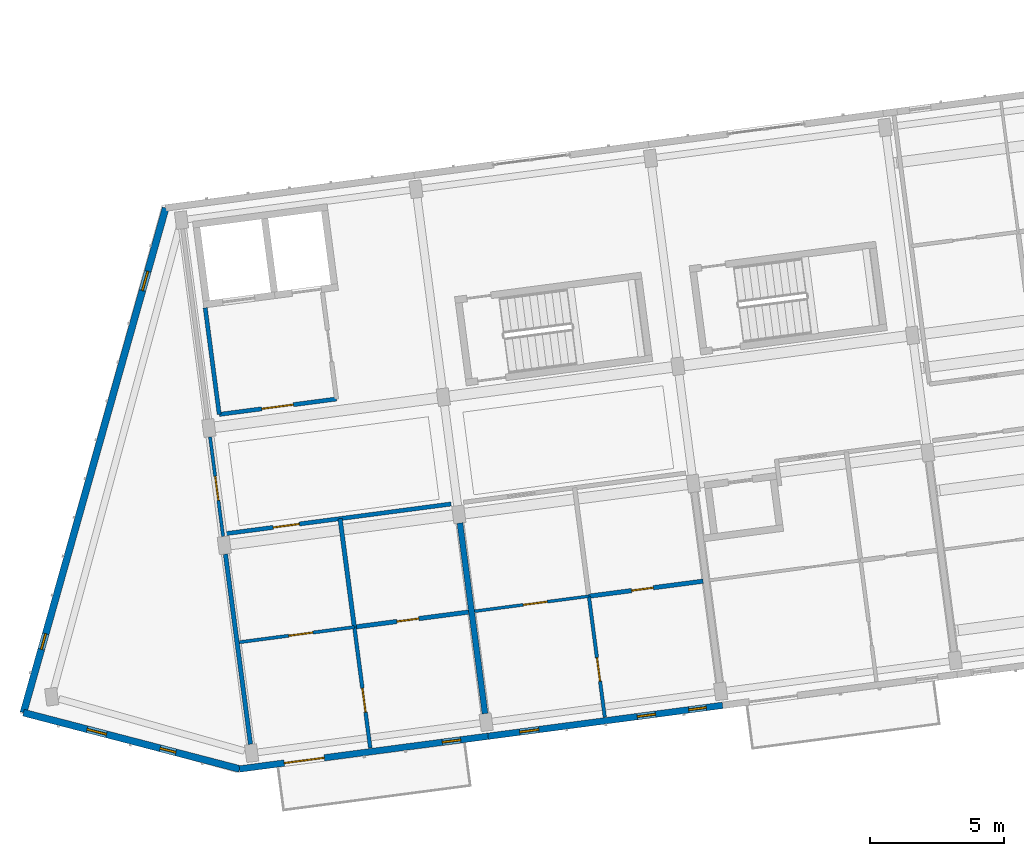
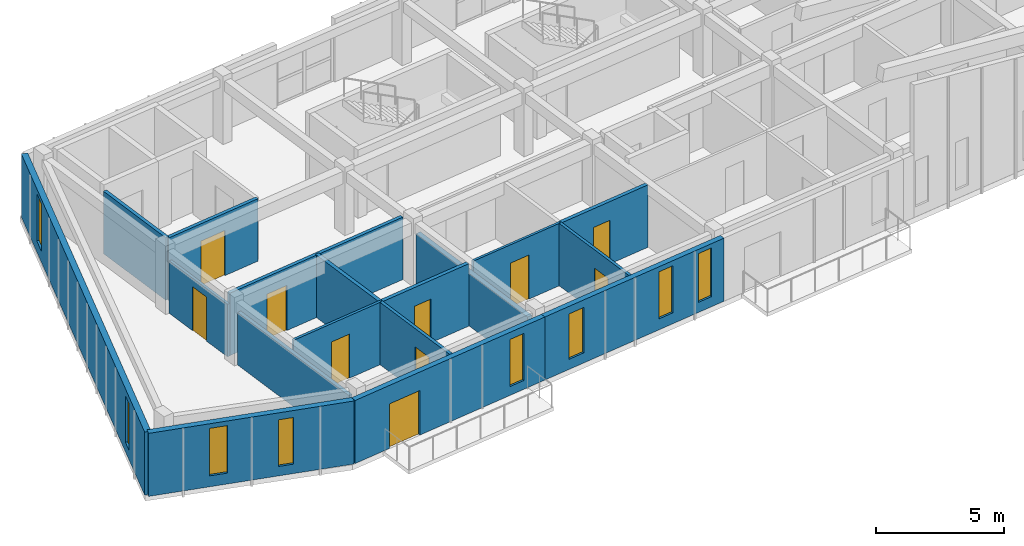
# One storey, part 6 of 16: 17 walls, 10 doors, 8 windows, 18 openings.
"""IFC4 building model written with IfcOpenShell, lengths in metres."""

from ifc_helpers import new_model, si_unit, direction, frame, frame_2d, origin, place, context, subcontext, project, spatial, rectangle, extrude, material, layer, layer_set, type_object, element, fill, save


model = new_model("IFC4")

# Units and contexts
model_context = context("Model", 3, precision=1e-05, world=origin(), true_north=direction((0.0, 1.0)))
body_context = subcontext(model_context, "Body", "Model", "MODEL_VIEW")
ifc_project = project(units=[si_unit("LENGTHUNIT", "METRE"), si_unit("AREAUNIT", "SQUARE_METRE"), si_unit("VOLUMEUNIT", "CUBIC_METRE"), si_unit("PLANEANGLEUNIT", "RADIAN"), si_unit("MASSUNIT", "GRAM", prefix="KILO")], contexts=[model_context])

# Site, building, storey
site_placement = place(None, origin())
site = spatial("IfcSite", under=ifc_project, at=site_placement, CompositionType="ELEMENT")
building_placement = place(site_placement, origin())
building = spatial("IfcBuilding", under=site, at=building_placement, Name="Kestramere Prow Commons", CompositionType="ELEMENT")
storey_placement = place(building_placement, frame((0.0, 0.0, 40.89990234375)))
storey = spatial("IfcBuildingStorey", under=building, at=storey_placement, Name="L12", CompositionType="ELEMENT", Elevation=40.89990234375)

# Wall, openings, windows
ifc_material_1 = material(Name="Weathered Zinc-Titanium Standing-Seam Cladding")
ifc_layer_1 = layer(ifc_material_1, 0.260009765625)
ifc_layer_set_1 = layer_set([ifc_layer_1], Name="Weathered Zinc-Titanium Standing-Seam Cladding")
wall_type_1 = type_object("IfcWallType", Name="EW-PROW-260", PredefinedType="SOLIDWALL", material=ifc_layer_set_1)
wall_1_placement = place(storey_placement, frame((10.748046875, 71.410888671875, 0.0), z_axis=(0.0, 0.0, 1.0), x_axis=(-0.967694955113, 0.252123925577, 0.0)))
wall_1 = element("IfcWall", 1, at=wall_1_placement, inside=storey, type_object=wall_type_1, Name="Block A L12 PRW-S Facet Wall", PredefinedType="SOLIDWALL", context=body_context, shape_type="SweptSolid", body=[
    extrude(rectangle(XDim=8.305419921875, YDim=0.260009765625, at=frame_2d((4.15283203125, 0.0))), origin(), (0.0, 0.0, 1.0), 3.0),
])
opening_1_placement = place(wall_1_placement, frame((2.449951171875, 0.0, 0.449951171875)))
opening_1 = element("IfcOpeningElement", 2, at=opening_1_placement, cuts=wall_1, Name="Opening WN-02", PredefinedType="OPENING", context=body_context, shape_type="SweptSolid", body=[
    extrude(rectangle(XDim=0.60009765625, YDim=2.219970703125, at=frame_2d((0.300048828125, 1.10986328125))), frame((0.0, 0.14501953125, 0.0), z_axis=(0.0, -1.0, 0.0), x_axis=(1.0, 0.0, 0.0)), (0.0, 0.0, 1.0), 0.2900390625),
])
opening_2_placement = place(wall_1_placement, frame((5.115234375, 0.0, 0.52001953125)))
opening_2 = element("IfcOpeningElement", 3, at=opening_2_placement, cuts=wall_1, Name="Opening WN-09", PredefinedType="OPENING", context=body_context, shape_type="SweptSolid", body=[
    extrude(rectangle(XDim=0.739990234375, YDim=2.260009765625, at=frame_2d((0.3701171875, 1.1298828125))), frame((0.0, 0.14501953125, 0.0), z_axis=(0.0, -1.0, 0.0), x_axis=(1.0, 0.0, 0.0)), (0.0, 0.0, 1.0), 0.2900390625),
])
ifc_material_2 = material(Name="Low-E Laminated Double Glazing", Category="glass")
window_type_1 = type_object("IfcWindowType", Name="WN-NAR-600A", PartitioningType="SINGLE_PANEL", PredefinedType="WINDOW", material=ifc_material_2)
window_1_placement = place(opening_1_placement, origin())
window_1 = element("IfcWindow", 4, at=window_1_placement, inside=storey, type_object=window_type_1, Name="WN-A-L12-PRW-S-0", OverallHeight=2.219970703125, OverallWidth=0.60009765625, PartitioningType="SINGLE_PANEL", PredefinedType="WINDOW", context=body_context, shape_type="SweptSolid", body=[
    extrude(rectangle(XDim=0.60009765625, YDim=2.219970703125, at=frame_2d((0.300048828125, 1.10986328125))), frame((0.0, 0.030029296875, 0.0), z_axis=(0.0, -1.0, 0.0), x_axis=(1.0, 0.0, 0.0)), (0.0, 0.0, 1.0), 0.06005859375),
])
fill(opening_1, window_1)
window_type_2 = type_object("IfcWindowType", Name="WN-NAR-740A", PartitioningType="SINGLE_PANEL", PredefinedType="WINDOW", material=ifc_material_2)
window_2_placement = place(opening_2_placement, origin())
window_2 = element("IfcWindow", 5, at=window_2_placement, inside=storey, type_object=window_type_2, Name="WN-A-L12-PRW-S-1", OverallHeight=2.260009765625, OverallWidth=0.739990234375, PartitioningType="SINGLE_PANEL", PredefinedType="WINDOW", context=body_context, shape_type="SweptSolid", body=[
    extrude(rectangle(XDim=0.739990234375, YDim=2.260009765625, at=frame_2d((0.3701171875, 1.1298828125))), frame((0.0, 0.030029296875, 0.0), z_axis=(0.0, -1.0, 0.0), x_axis=(1.0, 0.0, 0.0)), (0.0, 0.0, 1.0), 0.06005859375),
])
fill(opening_2, window_2)

wall_2_placement = place(storey_placement, frame((2.7109375, 73.5048828125, 0.0), z_axis=(0.0, 0.0, 1.0), x_axis=(0.271165263368, 0.962532804606, 0.0)))
wall_2 = element("IfcWall", 6, at=wall_2_placement, inside=storey, type_object=wall_type_1, Name="Block A L12 PRW-N Facet Wall", PredefinedType="SOLIDWALL", context=body_context, shape_type="SweptSolid", body=[
    extrude(rectangle(XDim=19.5068359375, YDim=0.260009765625, at=frame_2d((9.75341796875, 0.0))), origin(), (0.0, 0.0, 1.0), 3.0),
])
opening_3_placement = place(wall_2_placement, frame((2.449951171875, 0.0, 0.449951171875)))
opening_3 = element("IfcOpeningElement", 7, at=opening_3_placement, cuts=wall_2, Name="Opening WN-02", PredefinedType="OPENING", context=body_context, shape_type="SweptSolid", body=[
    extrude(rectangle(XDim=0.60009765625, YDim=2.219970703125, at=frame_2d((0.300048828125, 1.10986328125))), frame((0.0, 0.14501953125, 0.0), z_axis=(0.0, -1.0, 0.0), x_axis=(1.0, 0.0, 0.0)), (0.0, 0.0, 1.0), 0.2900390625),
])
opening_4_placement = place(wall_2_placement, frame((16.31689453125, 0.0, 0.52001953125)))
opening_4 = element("IfcOpeningElement", 8, at=opening_4_placement, cuts=wall_2, Name="Opening WN-09", PredefinedType="OPENING", context=body_context, shape_type="SweptSolid", body=[
    extrude(rectangle(XDim=0.739990234375, YDim=2.260009765625, at=frame_2d((0.3701171875, 1.1298828125))), frame((0.0, 0.14501953125, 0.0), z_axis=(0.0, -1.0, 0.0), x_axis=(1.0, 0.0, 0.0)), (0.0, 0.0, 1.0), 0.2900390625),
])
window_3_placement = place(opening_3_placement, origin())
window_3 = element("IfcWindow", 9, at=window_3_placement, inside=storey, type_object=window_type_1, Name="WN-A-L12-PRW-N-0", OverallHeight=2.219970703125, OverallWidth=0.60009765625, PartitioningType="SINGLE_PANEL", PredefinedType="WINDOW", context=body_context, shape_type="SweptSolid", body=[
    extrude(rectangle(XDim=0.60009765625, YDim=2.219970703125, at=frame_2d((0.300048828125, 1.10986328125))), frame((0.0, 0.030029296875, 0.0), z_axis=(0.0, -1.0, 0.0), x_axis=(1.0, 0.0, 0.0)), (0.0, 0.0, 1.0), 0.06005859375),
])
fill(opening_3, window_3)
window_4_placement = place(opening_4_placement, origin())
window_4 = element("IfcWindow", 10, at=window_4_placement, inside=storey, type_object=window_type_2, Name="WN-A-L12-PRW-N-1", OverallHeight=2.260009765625, OverallWidth=0.739990234375, PartitioningType="SINGLE_PANEL", PredefinedType="WINDOW", context=body_context, shape_type="SweptSolid", body=[
    extrude(rectangle(XDim=0.739990234375, YDim=2.260009765625, at=frame_2d((0.3701171875, 1.1298828125))), frame((0.0, 0.030029296875, 0.0), z_axis=(0.0, -1.0, 0.0), x_axis=(1.0, 0.0, 0.0)), (0.0, 0.0, 1.0), 0.06005859375),
])
fill(opening_4, window_4)

# Wall, openings, door, window
ifc_material_3 = material(Name="Fluoropolymer Standing-Seam Zinc-Aluminium Cladding", Category="aluminium")
ifc_layer_2 = layer(ifc_material_3, 0.239990234375)
ifc_layer_set_2 = layer_set([ifc_layer_2], Name="Fluoropolymer Standing-Seam Zinc-Aluminium Cladding")
wall_type_2 = type_object("IfcWallType", Name="EW-SEAM-240", PredefinedType="SOLIDWALL", material=ifc_layer_set_2)
wall_3_placement = place(storey_placement, frame((19.9931640625, 72.628173828125, 0.0), z_axis=(0.0, 0.0, 1.0), x_axis=(-0.991442885224, -0.130541201693, 0.0)))
wall_3 = element("IfcWall", 11, at=wall_3_placement, inside=storey, type_object=wall_type_2, Name="Block A L12 South Standing-Seam Wall 1", PredefinedType="SOLIDWALL", context=body_context, shape_type="SweptSolid", body=[
    extrude(rectangle(XDim=9.324951171875, YDim=0.239990234375, at=frame_2d((4.66259765625, 0.0))), origin(), (0.0, 0.0, 1.0), 3.0),
])
opening_5_placement = place(wall_3_placement, frame((6.14697265625, 0.0, 0.0)))
opening_5 = element("IfcOpeningElement", 12, at=opening_5_placement, cuts=wall_3, Name="Opening GD-BAL-01", PredefinedType="OPENING", context=body_context, shape_type="SweptSolid", body=[
    extrude(rectangle(XDim=1.5, YDim=2.1201171875, at=frame_2d((0.75, 1.06005859375))), frame((0.0, 0.135009765625, 0.0), z_axis=(0.0, -1.0, 0.0), x_axis=(1.0, 0.0, 0.0)), (0.0, 0.0, 1.0), 0.27001953125),
])
opening_6_placement = place(wall_3_placement, frame((1.030029296875, 0.0, 0.419921875)))
opening_6 = element("IfcOpeningElement", 13, at=opening_6_placement, cuts=wall_3, Name="Opening WN-06", PredefinedType="OPENING", context=body_context, shape_type="SweptSolid", body=[
    extrude(rectangle(XDim=0.679931640625, YDim=2.239990234375, at=frame_2d((0.33984375, 1.1201171875))), frame((0.0, 0.135009765625, 0.0), z_axis=(0.0, -1.0, 0.0), x_axis=(1.0, 0.0, 0.0)), (0.0, 0.0, 1.0), 0.27001953125),
])
ifc_material_4 = material(Name="Thermally-Broken Anodised Aluminium Glazed", Category="aluminium")
door_type_1 = type_object("IfcDoorType", Name="GD-BAL-1500", OperationType="SLIDING_TO_RIGHT", PredefinedType="DOOR", material=ifc_material_4)
door_1_placement = place(opening_5_placement, origin())
door_1 = element("IfcDoor", 14, at=door_1_placement, inside=storey, type_object=door_type_1, Name="Block A L12 Balcony Door 1", OperationType="SLIDING_TO_RIGHT", OverallHeight=2.1201171875, OverallWidth=1.5, PredefinedType="DOOR", context=body_context, shape_type="SweptSolid", body=[
    extrude(rectangle(XDim=1.5, YDim=2.1201171875, at=frame_2d((0.75, 1.06005859375))), frame((0.0, 0.02490234375, 0.0), z_axis=(0.0, -1.0, 0.0), x_axis=(1.0, 0.0, 0.0)), (0.0, 0.0, 1.0), 0.050048828125),
])
fill(opening_5, door_1)
window_type_3 = type_object("IfcWindowType", Name="WN-NAR-680A", PartitioningType="SINGLE_PANEL", PredefinedType="WINDOW", material=ifc_material_2)
window_5_placement = place(opening_6_placement, origin())
window_5 = element("IfcWindow", 15, at=window_5_placement, inside=storey, type_object=window_type_3, Name="WN-A-L12-SR-0", OverallHeight=2.239990234375, OverallWidth=0.679931640625, PartitioningType="SINGLE_PANEL", PredefinedType="WINDOW", context=body_context, shape_type="SweptSolid", body=[
    extrude(rectangle(XDim=0.679931640625, YDim=2.239990234375, at=frame_2d((0.33984375, 1.1201171875))), frame((0.0, 0.030029296875, 0.0), z_axis=(0.0, -1.0, 0.0), x_axis=(1.0, 0.0, 0.0)), (0.0, 0.0, 1.0), 0.06005859375),
])
fill(opening_6, window_5)

# Wall, openings, windows
wall_4_placement = place(storey_placement, frame((28.718017578125, 73.77685546875, 0.0), z_axis=(0.0, 0.0, 1.0), x_axis=(-0.991444377792, -0.130529865336, 0.0)))
wall_4 = element("IfcWall", 16, at=wall_4_placement, inside=storey, type_object=wall_type_2, Name="Block A L12 South Standing-Seam Wall 2", PredefinedType="SOLIDWALL", context=body_context, shape_type="SweptSolid", body=[
    extrude(rectangle(XDim=8.800048828125, YDim=0.239990234375, at=frame_2d((4.39990234375, 0.0))), origin(), (0.0, 0.0, 1.0), 3.0),
])
opening_7_placement = place(wall_4_placement, frame((0.610107421875, 0.0, 0.47998046875)))
opening_7 = element("IfcOpeningElement", 17, at=opening_7_placement, cuts=wall_4, Name="Opening WN-05", PredefinedType="OPENING", context=body_context, shape_type="SweptSolid", body=[
    extrude(rectangle(XDim=0.659912109375, YDim=2.320068359375, at=frame_2d((0.330078125, 1.16015625))), frame((0.0, 0.135009765625, 0.0), z_axis=(0.0, -1.0, 0.0), x_axis=(1.0, 0.0, 0.0)), (0.0, 0.0, 1.0), 0.27001953125),
])
opening_8_placement = place(wall_4_placement, frame((2.51611328125, 0.0, 0.52001953125)))
opening_8 = element("IfcOpeningElement", 18, at=opening_8_placement, cuts=wall_4, Name="Opening WN-06", PredefinedType="OPENING", context=body_context, shape_type="SweptSolid", body=[
    extrude(rectangle(XDim=0.679931640625, YDim=2.239990234375, at=frame_2d((0.33984375, 1.1201171875))), frame((0.0, 0.135009765625, 0.0), z_axis=(0.0, -1.0, 0.0), x_axis=(1.0, 0.0, 0.0)), (0.0, 0.0, 1.0), 0.27001953125),
])
opening_9_placement = place(wall_4_placement, frame((6.89453125, 0.0, 0.47998046875)))
opening_9 = element("IfcOpeningElement", 19, at=opening_9_placement, cuts=wall_4, Name="Opening WN-08", PredefinedType="OPENING", context=body_context, shape_type="SweptSolid", body=[
    extrude(rectangle(XDim=0.719970703125, YDim=2.159912109375, at=frame_2d((0.35986328125, 1.080078125))), frame((0.0, 0.135009765625, 0.0), z_axis=(0.0, -1.0, 0.0), x_axis=(1.0, 0.0, 0.0)), (0.0, 0.0, 1.0), 0.27001953125),
])
window_type_4 = type_object("IfcWindowType", Name="WN-NAR-660A", PartitioningType="SINGLE_PANEL", PredefinedType="WINDOW", material=ifc_material_2)
window_6_placement = place(opening_7_placement, origin())
window_6 = element("IfcWindow", 20, at=window_6_placement, inside=storey, type_object=window_type_4, Name="WN-A-L12-S-1-00", OverallHeight=2.320068359375, OverallWidth=0.659912109375, PartitioningType="SINGLE_PANEL", PredefinedType="WINDOW", context=body_context, shape_type="SweptSolid", body=[
    extrude(rectangle(XDim=0.659912109375, YDim=2.320068359375, at=frame_2d((0.330078125, 1.16015625))), frame((0.0, 0.030029296875, 0.0), z_axis=(0.0, -1.0, 0.0), x_axis=(1.0, 0.0, 0.0)), (0.0, 0.0, 1.0), 0.06005859375),
])
fill(opening_7, window_6)
window_7_placement = place(opening_8_placement, origin())
window_7 = element("IfcWindow", 21, at=window_7_placement, inside=storey, type_object=window_type_3, Name="WN-A-L12-S-1-01", OverallHeight=2.239990234375, OverallWidth=0.679931640625, PartitioningType="SINGLE_PANEL", PredefinedType="WINDOW", context=body_context, shape_type="SweptSolid", body=[
    extrude(rectangle(XDim=0.679931640625, YDim=2.239990234375, at=frame_2d((0.33984375, 1.1201171875))), frame((0.0, 0.030029296875, 0.0), z_axis=(0.0, -1.0, 0.0), x_axis=(1.0, 0.0, 0.0)), (0.0, 0.0, 1.0), 0.06005859375),
])
fill(opening_8, window_7)
window_type_5 = type_object("IfcWindowType", Name="WN-NAR-720A", PartitioningType="SINGLE_PANEL", PredefinedType="WINDOW", material=ifc_material_2)
window_8_placement = place(opening_9_placement, origin())
window_8 = element("IfcWindow", 22, at=window_8_placement, inside=storey, type_object=window_type_5, Name="WN-A-L12-S-1-10", OverallHeight=2.159912109375, OverallWidth=0.719970703125, PartitioningType="SINGLE_PANEL", PredefinedType="WINDOW", context=body_context, shape_type="SweptSolid", body=[
    extrude(rectangle(XDim=0.719970703125, YDim=2.159912109375, at=frame_2d((0.35986328125, 1.080078125))), frame((0.0, 0.030029296875, 0.0), z_axis=(0.0, -1.0, 0.0), x_axis=(1.0, 0.0, 0.0)), (0.0, 0.0, 1.0), 0.06005859375),
])
fill(opening_9, window_8)

# Wall, opening, door
ifc_material_5 = material(Name="Fire-Rated Calcium Silicate Wall")
ifc_layer_3 = layer(ifc_material_5, 0.155029296875)
ifc_layer_set_3 = layer_set([ifc_layer_3], Name="Fire-Rated Calcium Silicate Wall")
wall_type_3 = type_object("IfcWallType", Name="W-FIRE-150", PredefinedType="PARTITIONING", material=ifc_layer_set_3)
wall_5_placement = place(storey_placement, frame((9.994873046875, 84.6005859375, 0.0), z_axis=(0.0, 0.0, 1.0), x_axis=(0.991448440179, 0.130499005613, 0.0)))
wall_5 = element("IfcWall", 23, at=wall_5_placement, inside=storey, type_object=wall_type_3, Name="Interior Partition PW-A-L12-FFL-S", PredefinedType="PARTITIONING", context=body_context, shape_type="SweptSolid", body=[
    extrude(rectangle(XDim=4.400146484375, YDim=0.155029296875, at=frame_2d((2.2001953125, 0.0))), origin(), (0.0, 0.0, 1.0), 2.97021484375),
])
opening_10_placement = place(wall_5_placement, frame((1.60009765625, 0.0, 0.0)))
opening_10 = element("IfcOpeningElement", 24, at=opening_10_placement, cuts=wall_5, Name="Opening ID-03", PredefinedType="OPENING", context=body_context, shape_type="SweptSolid", body=[
    extrude(rectangle(XDim=1.179931640625, YDim=2.14990234375, at=frame_2d((0.58984375, 1.074951171875))), frame((0.0, 0.092529296875, 0.0), z_axis=(0.0, -1.0, 0.0), x_axis=(1.0, 0.0, 0.0)), (0.0, 0.0, 1.0), 0.18505859375),
])
ifc_material_6 = material(Name="Fire-Rated Glazed Smoke-Stop Door")
door_type_2 = type_object("IfcDoorType", Name="FD-LB-01", OperationType="NOTDEFINED", PredefinedType="DOOR", material=ifc_material_6)
door_2_placement = place(opening_10_placement, origin())
door_2 = element("IfcDoor", 25, at=door_2_placement, inside=storey, type_object=door_type_2, Name="Interior Door DR-A-L12-FFL", OperationType="SINGLE_SWING_LEFT", OverallHeight=2.14990234375, OverallWidth=1.179931640625, PredefinedType="DOOR", context=body_context, shape_type="SweptSolid", body=[
    extrude(rectangle(XDim=1.179931640625, YDim=2.14990234375, at=frame_2d((0.58984375, 1.074951171875))), frame((0.0, 0.02490234375, 0.0), z_axis=(0.0, -1.0, 0.0), x_axis=(1.0, 0.0, 0.0)), (0.0, 0.0, 1.0), 0.050048828125),
])
fill(opening_10, door_2)

# Wall
wall_6_placement = place(storey_placement, frame((9.994873046875, 84.6005859375, 0.0), z_axis=(0.0, 0.0, 1.0), x_axis=(-0.130492404742, 0.991449308994, 0.0)))
element("IfcWall", 26, at=wall_6_placement, inside=storey, type_object=wall_type_3, Name="Interior Partition PW-A-L12-FFL-W", PredefinedType="PARTITIONING", context=body_context, shape_type="SweptSolid", body=[
    extrude(rectangle(XDim=4.0, YDim=0.155029296875, at=frame_2d((2.0, 0.0))), origin(), (0.0, 0.0, 1.0), 2.97021484375),
])

# Wall, opening, door
wall_7_placement = place(storey_placement, frame((10.196533203125, 80.158935546875, 0.0), z_axis=(0.0, 0.0, 1.0), x_axis=(0.991447642549, 0.130505065361, 0.0)))
wall_7 = element("IfcWall", 27, at=wall_7_placement, inside=storey, type_object=wall_type_3, Name="Interior Partition PW-A-L12-CS-0", PredefinedType="PARTITIONING", context=body_context, shape_type="SweptSolid", body=[
    extrude(rectangle(XDim=8.4951171875, YDim=0.155029296875, at=frame_2d((4.24755859375, 0.0))), origin(), (0.0, 0.0, 1.0), 2.97021484375),
])
opening_11_placement = place(wall_7_placement, frame((1.820068359375, 0.0, 0.0)))
opening_11 = element("IfcOpeningElement", 28, at=opening_11_placement, cuts=wall_7, Name="Opening ID-04", PredefinedType="OPENING", context=body_context, shape_type="SweptSolid", body=[
    extrude(rectangle(XDim=0.97998046875, YDim=2.14990234375, at=frame_2d((0.489990234375, 1.074951171875))), frame((0.0, 0.092529296875, 0.0), z_axis=(0.0, -1.0, 0.0), x_axis=(1.0, 0.0, 0.0)), (0.0, 0.0, 1.0), 0.18505859375),
])
ifc_material_7 = material(Name="Hardwood Fire-Rated Flat Entrance Door", Category="wood")
door_type_3 = type_object("IfcDoorType", Name="FD-ENT-01", OperationType="NOTDEFINED", PredefinedType="DOOR", material=ifc_material_7)
door_3_placement = place(opening_11_placement, origin())
door_3 = element("IfcDoor", 29, at=door_3_placement, inside=storey, type_object=door_type_3, Name="Interior Door DR-A-L12-ENT-S0", OperationType="SINGLE_SWING_LEFT", OverallHeight=2.14990234375, OverallWidth=0.97998046875, PredefinedType="DOOR", context=body_context, shape_type="SweptSolid", body=[
    extrude(rectangle(XDim=0.97998046875, YDim=2.14990234375, at=frame_2d((0.489990234375, 1.074951171875))), frame((0.0, 0.02490234375, 0.0), z_axis=(0.0, -1.0, 0.0), x_axis=(1.0, 0.0, 0.0)), (0.0, 0.0, 1.0), 0.050048828125),
])
fill(opening_11, door_3)

ifc_material_8 = material(Name="Gypsum Acoustic Drywall")
ifc_layer_4 = layer(ifc_material_8, 0.110107421875)
ifc_layer_set_4 = layer_set([ifc_layer_4], Name="Gypsum Acoustic Drywall")
wall_type_4 = type_object("IfcWallType", Name="W-PART-110", PredefinedType="PARTITIONING", material=ifc_layer_set_4)
wall_8_placement = place(storey_placement, frame((19.4970703125, 77.278076171875, 0.0), z_axis=(0.0, 0.0, 1.0), x_axis=(0.991444014242, 0.130532626667, 0.0)))
wall_8 = element("IfcWall", 30, at=wall_8_placement, inside=storey, type_object=wall_type_4, Name="Interior Partition PW-A-L12-MIDS1-1", PredefinedType="PARTITIONING", context=body_context, shape_type="SweptSolid", body=[
    extrude(rectangle(XDim=4.284912109375, YDim=0.110107421875, at=frame_2d((2.142578125, 0.0))), origin(), (0.0, 0.0, 1.0), 2.97021484375),
])
opening_12_placement = place(wall_8_placement, frame((1.824951171875, 0.0, 0.0)))
opening_12 = element("IfcOpeningElement", 31, at=opening_12_placement, cuts=wall_8, Name="Opening ID-08", PredefinedType="OPENING", context=body_context, shape_type="SweptSolid", body=[
    extrude(rectangle(XDim=0.89990234375, YDim=2.10009765625, at=frame_2d((0.449951171875, 1.050048828125))), frame((0.0, 0.070068359375, 0.0), z_axis=(0.0, -1.0, 0.0), x_axis=(1.0, 0.0, 0.0)), (0.0, 0.0, 1.0), 0.14013671875),
])
ifc_material_9 = material(Name="Engineered Timber Flush Door", Category="wood")
door_type_4 = type_object("IfcDoorType", Name="D-RM-01", OperationType="NOTDEFINED", PredefinedType="DOOR", material=ifc_material_9)
door_4_placement = place(opening_12_placement, origin())
door_4 = element("IfcDoor", 32, at=door_4_placement, inside=storey, type_object=door_type_4, Name="Interior Door DR-A-L12-KL-S1", OperationType="SINGLE_SWING_RIGHT", OverallHeight=2.10009765625, OverallWidth=0.89990234375, PredefinedType="DOOR", context=body_context, shape_type="SweptSolid", body=[
    extrude(rectangle(XDim=0.89990234375, YDim=2.10009765625, at=frame_2d((0.449951171875, 1.050048828125))), frame((0.0, 0.02490234375, 0.0), z_axis=(0.0, -1.0, 0.0), x_axis=(1.0, 0.0, 0.0)), (0.0, 0.0, 1.0), 0.050048828125),
])
fill(opening_12, door_4)

ifc_material_10 = material(Name="Lightweight Blockwork and Plaster", Category="masonry")
ifc_layer_5 = layer(ifc_material_10, 0.1201171875)
ifc_layer_set_5 = layer_set([ifc_layer_5], Name="Lightweight Blockwork and Plaster")
wall_type_5 = type_object("IfcWallType", Name="W-PART-120", PredefinedType="PARTITIONING", material=ifc_layer_set_5)
wall_9_placement = place(storey_placement, frame((10.13818359375, 80.0654296875, 0.0), z_axis=(0.0, 0.0, 1.0), x_axis=(-0.130517160134, 0.991446050429, 0.0)))
wall_9 = element("IfcWall", 33, at=wall_9_placement, inside=storey, type_object=wall_type_5, Name="Interior Partition PW-A-L12-PROW-ACC", PredefinedType="PARTITIONING", context=body_context, shape_type="SweptSolid", body=[
    extrude(rectangle(XDim=3.72998046875, YDim=0.1201171875, at=frame_2d((1.864990234375, 0.0))), origin(), (0.0, 0.0, 1.0), 2.5),
])
opening_13_placement = place(wall_9_placement, frame((1.35009765625, 0.0, 0.0)))
opening_13 = element("IfcOpeningElement", 34, at=opening_13_placement, cuts=wall_9, Name="Opening ID-08", PredefinedType="OPENING", context=body_context, shape_type="SweptSolid", body=[
    extrude(rectangle(XDim=0.89990234375, YDim=2.10009765625, at=frame_2d((0.449951171875, 1.050048828125))), frame((0.0, 0.074951171875, 0.0), z_axis=(0.0, -1.0, 0.0), x_axis=(1.0, 0.0, 0.0)), (0.0, 0.0, 1.0), 0.150146484375),
])
door_5_placement = place(opening_13_placement, origin())
door_5 = element("IfcDoor", 35, at=door_5_placement, inside=storey, type_object=door_type_4, Name="Interior Door DR-A-L12-PROW", OperationType="SINGLE_SWING_LEFT", OverallHeight=2.10009765625, OverallWidth=0.89990234375, PredefinedType="DOOR", context=body_context, shape_type="SweptSolid", body=[
    extrude(rectangle(XDim=0.89990234375, YDim=2.10009765625, at=frame_2d((0.449951171875, 1.050048828125))), frame((0.0, 0.02490234375, 0.0), z_axis=(0.0, -1.0, 0.0), x_axis=(1.0, 0.0, 0.0)), (0.0, 0.0, 1.0), 0.050048828125),
])
fill(opening_13, door_5)

wall_10_placement = place(storey_placement, frame((10.74755859375, 76.126220703125, 0.0), z_axis=(0.0, 0.0, 1.0), x_axis=(0.991447160489, 0.130508727519, 0.0)))
wall_10 = element("IfcWall", 36, at=wall_10_placement, inside=storey, type_object=wall_type_5, Name="Interior Partition PW-A-L12-MIDS1-0", PredefinedType="PARTITIONING", context=body_context, shape_type="SweptSolid", body=[
    extrude(rectangle(XDim=4.31005859375, YDim=0.1201171875, at=frame_2d((2.155029296875, 0.0))), origin(), (0.0, 0.0, 1.0), 2.97021484375),
])
opening_14_placement = place(wall_10_placement, frame((1.85009765625, 0.0, 0.0)))
opening_14 = element("IfcOpeningElement", 37, at=opening_14_placement, cuts=wall_10, Name="Opening ID-08", PredefinedType="OPENING", context=body_context, shape_type="SweptSolid", body=[
    extrude(rectangle(XDim=0.89990234375, YDim=2.10009765625, at=frame_2d((0.449951171875, 1.050048828125))), frame((0.0, 0.074951171875, 0.0), z_axis=(0.0, -1.0, 0.0), x_axis=(1.0, 0.0, 0.0)), (0.0, 0.0, 1.0), 0.150146484375),
])
door_6_placement = place(opening_14_placement, origin())
door_6 = element("IfcDoor", 38, at=door_6_placement, inside=storey, type_object=door_type_4, Name="Interior Door DR-A-L12-KL-S0", OperationType="SINGLE_SWING_RIGHT", OverallHeight=2.10009765625, OverallWidth=0.89990234375, PredefinedType="DOOR", context=body_context, shape_type="SweptSolid", body=[
    extrude(rectangle(XDim=0.89990234375, YDim=2.10009765625, at=frame_2d((0.449951171875, 1.050048828125))), frame((0.0, 0.02490234375, 0.0), z_axis=(0.0, -1.0, 0.0), x_axis=(1.0, 0.0, 0.0)), (0.0, 0.0, 1.0), 0.050048828125),
])
fill(opening_14, door_6)

ifc_layer_6 = layer(ifc_material_10, 0.1298828125)
ifc_layer_set_6 = layer_set([ifc_layer_6], Name="Lightweight Blockwork and Plaster")
wall_type_6 = type_object("IfcWallType", Name="W-PART-130", PredefinedType="PARTITIONING", material=ifc_layer_set_6)
wall_11_placement = place(storey_placement, frame((24.337890625, 73.336181640625, 0.0), z_axis=(0.0, 0.0, 1.0), x_axis=(-0.130511545171, 0.991446789584, 0.0)))
wall_11 = element("IfcWall", 39, at=wall_11_placement, inside=storey, type_object=wall_type_6, Name="Interior Partition PW-A-L12-LB-S1", PredefinedType="PARTITIONING", context=body_context, shape_type="SweptSolid", body=[
    extrude(rectangle(XDim=4.5400390625, YDim=0.1298828125, at=frame_2d((2.27001953125, 0.0))), origin(), (0.0, 0.0, 1.0), 2.97021484375),
])
opening_15_placement = place(wall_11_placement, frame((1.35009765625, 0.0, 0.0)))
opening_15 = element("IfcOpeningElement", 40, at=opening_15_placement, cuts=wall_11, Name="Opening ID-10", PredefinedType="OPENING", context=body_context, shape_type="SweptSolid", body=[
    extrude(rectangle(XDim=0.8798828125, YDim=2.10009765625, at=frame_2d((0.43994140625, 1.050048828125))), frame((0.0, 0.079833984375, 0.0), z_axis=(0.0, -1.0, 0.0), x_axis=(1.0, 0.0, 0.0)), (0.0, 0.0, 1.0), 0.159912109375),
])
ifc_material_11 = material(Name="Engineered Timber Bedroom Door", Category="wood")
door_type_5 = type_object("IfcDoorType", Name="D-RM-03", OperationType="NOTDEFINED", PredefinedType="DOOR", material=ifc_material_11)
door_7_placement = place(opening_15_placement, origin())
door_7 = element("IfcDoor", 41, at=door_7_placement, inside=storey, type_object=door_type_5, Name="Interior Door DR-A-L12-BED-S1", OperationType="SINGLE_SWING_RIGHT", OverallHeight=2.10009765625, OverallWidth=0.8798828125, PredefinedType="DOOR", context=body_context, shape_type="SweptSolid", body=[
    extrude(rectangle(XDim=0.8798828125, YDim=2.10009765625, at=frame_2d((0.43994140625, 1.050048828125))), frame((0.0, 0.02490234375, 0.0), z_axis=(0.0, -1.0, 0.0), x_axis=(1.0, 0.0, 0.0)), (0.0, 0.0, 1.0), 0.050048828125),
])
fill(opening_15, door_7)

ifc_material_12 = material(Name="Masonry Compartment Wall", Category="masonry")
ifc_layer_7 = layer(ifc_material_12, 0.139892578125)
ifc_layer_set_7 = layer_set([ifc_layer_7], Name="Masonry Compartment Wall")
wall_type_7 = type_object("IfcWallType", Name="W-PART-140", PredefinedType="PARTITIONING", material=ifc_layer_set_7)
wall_12_placement = place(storey_placement, frame((15.61328125, 72.187744140625, 0.0), z_axis=(0.0, 0.0, 1.0), x_axis=(-0.130518503748, 0.99144587355, 0.0)))
wall_12 = element("IfcWall", 42, at=wall_12_placement, inside=storey, type_object=wall_type_7, Name="Interior Partition PW-A-L12-LB-S0", PredefinedType="PARTITIONING", context=body_context, shape_type="SweptSolid", body=[
    extrude(rectangle(XDim=4.539794921875, YDim=0.139892578125, at=frame_2d((2.27001953125, 0.0))), origin(), (0.0, 0.0, 1.0), 2.97021484375),
])
opening_16_placement = place(wall_12_placement, frame((1.35009765625, 0.0, 0.0)))
opening_16 = element("IfcOpeningElement", 43, at=opening_16_placement, cuts=wall_12, Name="Opening ID-08", PredefinedType="OPENING", context=body_context, shape_type="SweptSolid", body=[
    extrude(rectangle(XDim=0.89990234375, YDim=2.10009765625, at=frame_2d((0.449951171875, 1.050048828125))), frame((0.0, 0.0849609375, 0.0), z_axis=(0.0, -1.0, 0.0), x_axis=(1.0, 0.0, 0.0)), (0.0, 0.0, 1.0), 0.169921875),
])
door_8_placement = place(opening_16_placement, origin())
door_8 = element("IfcDoor", 44, at=door_8_placement, inside=storey, type_object=door_type_4, Name="Interior Door DR-A-L12-BED-S0", OperationType="SINGLE_SWING_LEFT", OverallHeight=2.10009765625, OverallWidth=0.89990234375, PredefinedType="DOOR", context=body_context, shape_type="SweptSolid", body=[
    extrude(rectangle(XDim=0.89990234375, YDim=2.10009765625, at=frame_2d((0.449951171875, 1.050048828125))), frame((0.0, 0.02490234375, 0.0), z_axis=(0.0, -1.0, 0.0), x_axis=(1.0, 0.0, 0.0)), (0.0, 0.0, 1.0), 0.050048828125),
])
fill(opening_16, door_8)

# Wall
ifc_material_13 = material(Name="Waterproof Sanitary Masonry Wall", Category="masonry")
ifc_layer_8 = layer(ifc_material_13, 0.1650390625)
ifc_layer_set_8 = layer_set([ifc_layer_8], Name="Waterproof Sanitary Masonry Wall")
wall_type_8 = type_object("IfcWallType", Name="W-PLUMB-150", PredefinedType="PLUMBINGWALL", material=ifc_layer_set_8)
wall_13_placement = place(storey_placement, frame((11.15625, 72.33203125, 0.0), z_axis=(0.0, 0.0, 1.0), x_axis=(-0.130526257258, 0.991444852811, 0.0)))
element("IfcWall", 45, at=wall_13_placement, inside=storey, type_object=wall_type_8, Name="Interior Partition PW-A-L12-PRWW-S", PredefinedType="PLUMBINGWALL", context=body_context, shape_type="SweptSolid", body=[
    extrude(rectangle(XDim=7.130126953125, YDim=0.1650390625, at=frame_2d((3.56494140625, 0.0))), origin(), (0.0, 0.0, 1.0), 2.5),
])

# Wall, opening, door
wall_14_placement = place(storey_placement, frame((15.020751953125, 76.688720703125, 0.0), z_axis=(0.0, 0.0, 1.0), x_axis=(0.991444014242, 0.130532626667, 0.0)))
wall_14 = element("IfcWall", 46, at=wall_14_placement, inside=storey, type_object=wall_type_8, Name="Interior Partition PW-A-L12-MIDS2-0", PredefinedType="PLUMBINGWALL", context=body_context, shape_type="SweptSolid", body=[
    extrude(rectangle(XDim=4.284912109375, YDim=0.1650390625, at=frame_2d((2.142578125, 0.0))), origin(), (0.0, 0.0, 1.0), 2.97021484375),
])
opening_17_placement = place(wall_14_placement, frame((1.60009765625, 0.0, 0.0)))
opening_17 = element("IfcOpeningElement", 47, at=opening_17_placement, cuts=wall_14, Name="Opening ID-11", PredefinedType="OPENING", context=body_context, shape_type="SweptSolid", body=[
    extrude(rectangle(XDim=0.820068359375, YDim=2.080078125, at=frame_2d((0.41015625, 1.0400390625))), frame((0.0, 0.097412109375, 0.0), z_axis=(0.0, -1.0, 0.0), x_axis=(1.0, 0.0, 0.0)), (0.0, 0.0, 1.0), 0.195068359375),
])
ifc_material_14 = material(Name="Moisture-Resistant Timber Bathroom Door", Category="wood")
door_type_6 = type_object("IfcDoorType", Name="D-BT-01", OperationType="NOTDEFINED", PredefinedType="DOOR", material=ifc_material_14)
door_9_placement = place(opening_17_placement, origin())
door_9 = element("IfcDoor", 48, at=door_9_placement, inside=storey, type_object=door_type_6, Name="Interior Door DR-A-L12-BTH-S0", OperationType="SINGLE_SWING_LEFT", OverallHeight=2.080078125, OverallWidth=0.820068359375, PredefinedType="DOOR", context=body_context, shape_type="SweptSolid", body=[
    extrude(rectangle(XDim=0.820068359375, YDim=2.080078125, at=frame_2d((0.41015625, 1.0400390625))), frame((0.0, 0.02490234375, 0.0), z_axis=(0.0, -1.0, 0.0), x_axis=(1.0, 0.0, 0.0)), (0.0, 0.0, 1.0), 0.050048828125),
])
fill(opening_17, door_9)

# Wall
wall_15_placement = place(storey_placement, frame((15.020751953125, 76.688720703125, 0.0), z_axis=(0.0, 0.0, 1.0), x_axis=(-0.13052899417, 0.991444492486, 0.0)))
element("IfcWall", 49, at=wall_15_placement, inside=storey, type_object=wall_type_8, Name="Interior Partition PW-A-L12-KB-S0", PredefinedType="PLUMBINGWALL", context=body_context, shape_type="SweptSolid", body=[
    extrude(rectangle(XDim=4.070068359375, YDim=0.1650390625, at=frame_2d((2.03515625, 0.0))), origin(), (0.0, 0.0, 1.0), 2.97021484375),
])

# Wall, opening, door
wall_16_placement = place(storey_placement, frame((23.745361328125, 77.83740234375, 0.0), z_axis=(0.0, 0.0, 1.0), x_axis=(0.991444014242, 0.130532626667, 0.0)))
wall_16 = element("IfcWall", 50, at=wall_16_placement, inside=storey, type_object=wall_type_8, Name="Interior Partition PW-A-L12-MIDS2-1", PredefinedType="PLUMBINGWALL", context=body_context, shape_type="SweptSolid", body=[
    extrude(rectangle(XDim=4.284912109375, YDim=0.1650390625, at=frame_2d((2.142578125, 0.0))), origin(), (0.0, 0.0, 1.0), 2.97021484375),
])
opening_18_placement = place(wall_16_placement, frame((1.60009765625, 0.0, 0.0)))
opening_18 = element("IfcOpeningElement", 51, at=opening_18_placement, cuts=wall_16, Name="Opening ID-11", PredefinedType="OPENING", context=body_context, shape_type="SweptSolid", body=[
    extrude(rectangle(XDim=0.820068359375, YDim=2.080078125, at=frame_2d((0.41015625, 1.0400390625))), frame((0.0, 0.097412109375, 0.0), z_axis=(0.0, -1.0, 0.0), x_axis=(1.0, 0.0, 0.0)), (0.0, 0.0, 1.0), 0.195068359375),
])
door_10_placement = place(opening_18_placement, origin())
door_10 = element("IfcDoor", 52, at=door_10_placement, inside=storey, type_object=door_type_6, Name="Interior Door DR-A-L12-BTH-S1", OperationType="SINGLE_SWING_LEFT", OverallHeight=2.080078125, OverallWidth=0.820068359375, PredefinedType="DOOR", context=body_context, shape_type="SweptSolid", body=[
    extrude(rectangle(XDim=0.820068359375, YDim=2.080078125, at=frame_2d((0.41015625, 1.0400390625))), frame((0.0, 0.02490234375, 0.0), z_axis=(0.0, -1.0, 0.0), x_axis=(1.0, 0.0, 0.0)), (0.0, 0.0, 1.0), 0.050048828125),
])
fill(opening_18, door_10)

# Wall
ifc_material_15 = material(Name="Precast concrete C40/50", Category="concrete")
ifc_layer_9 = layer(ifc_material_15, 0.219970703125)
ifc_layer_set_9 = layer_set([ifc_layer_9], Name="Precast concrete C40/50")
wall_type_9 = type_object("IfcWallType", Name="W-XWALL-220", PredefinedType="SHEAR", material=ifc_layer_set_9)
wall_17_placement = place(storey_placement, frame((19.88232421875, 73.470947265625, 0.0), z_axis=(0.0, 0.0, 1.0), x_axis=(-0.130541958643, 0.991442785557, 0.0)))
element("IfcWall", 53, at=wall_17_placement, inside=storey, type_object=wall_type_9, Name="Block A L12 Precast Cross-Wall 1", PredefinedType="SHEAR", context=body_context, shape_type="SweptSolid", body=[
    extrude(rectangle(XDim=7.14990234375, YDim=0.219970703125, at=frame_2d((3.574951171875, 0.0))), origin(), (0.0, 0.0, 1.0), 2.5),
])

save(model, "model.ifc")
